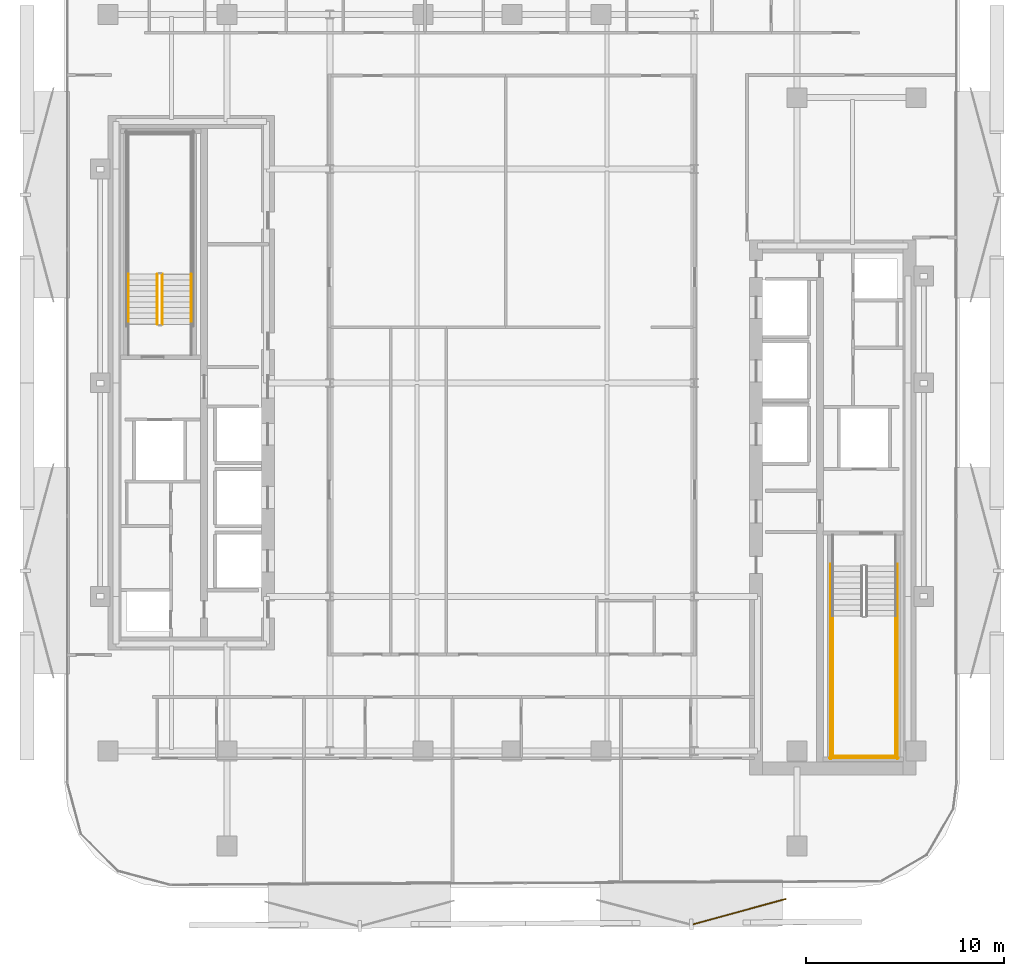
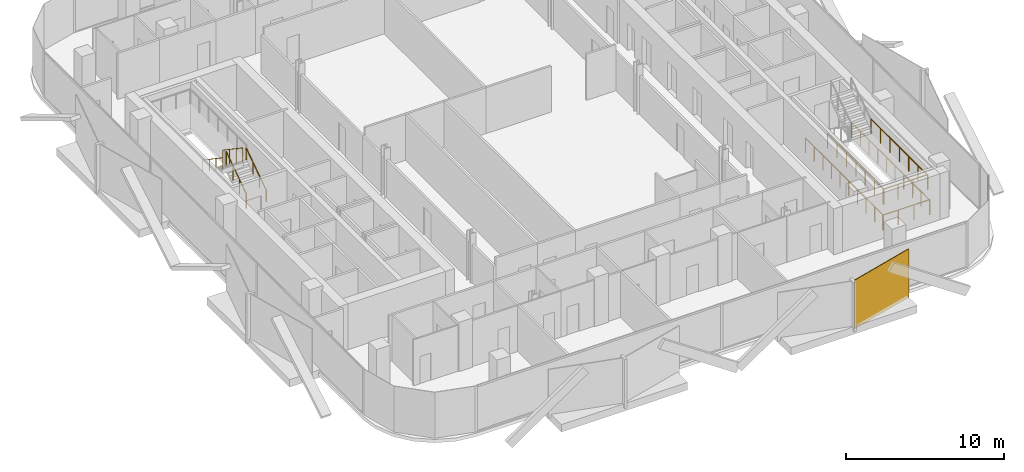
# One storey, part 14 of 17: 10 railings, 1 covering.
"""IFC4 building model written with IfcOpenShell, lengths in metres."""

from ifc_helpers import new_model, si_unit, direction, frame, origin, origin_2d, place, context, subcontext, project, spatial, rectangle, circle, extrude, material, layer, layer_set, type_object, element, save


model = new_model("IFC4")

# Units and contexts
model_context = context("Model", 3, precision=1e-05, world=origin(), true_north=direction((0.0, 1.0)))
body_context = subcontext(model_context, "Body", "Model", "MODEL_VIEW")
ifc_project = project(units=[si_unit("LENGTHUNIT", "METRE"), si_unit("AREAUNIT", "SQUARE_METRE"), si_unit("VOLUMEUNIT", "CUBIC_METRE"), si_unit("PLANEANGLEUNIT", "RADIAN"), si_unit("MASSUNIT", "GRAM", prefix="KILO")], contexts=[model_context])

# Site, building, storey
site_placement = place(None, origin())
site = spatial("IfcSite", under=ifc_project, at=site_placement, CompositionType="ELEMENT")
building_placement = place(site_placement, origin())
building = spatial("IfcBuilding", under=site, at=building_placement, Name="Khairoan Windgate Tower", CompositionType="ELEMENT")
storey_placement = place(building_placement, frame((0.0, 0.0, 195.39990234375)))
storey = spatial("IfcBuildingStorey", under=building, at=storey_placement, Name="L45", CompositionType="ELEMENT", Elevation=195.39990234375)

# Covering
ifc_material_1 = material(Name="Anodised Bronze Aluminium 6063-T6", Category="aluminium")
ifc_layer = layer(ifc_material_1, 0.054931640625, Name="Anodised Bronze Aluminium 6063-T6")
ifc_layer_set = layer_set([ifc_layer], Name="Anodised Bronze Aluminium 6063-T6")
covering_type = type_object("IfcCoveringType", Name="Perforated Bronze-Ceramic Folded Solar Screen Cladding BSC-1", PredefinedType="CLADDING", material=ifc_layer_set)
covering_placement = place(storey_placement, frame((11.498779296875, -26.708984375, -0.10009765625), z_axis=(0.0, 0.0, 1.0), x_axis=(-0.964649468762, -0.263536339841, 0.0)))
element("IfcCovering", 1, at=covering_placement, inside=storey, type_object=covering_type, Name="L45 Folded Bronze Solar Screen Facet 297L", PredefinedType="CLADDING", context=body_context, shape_type="SweptSolid", body=[
    extrude(rectangle(XDim=4.861083984375, YDim=0.054931640625, at=origin_2d()), origin(), (0.0, 0.0, 1.0), 3.739990234375),
])

# Railings
ifc_material_2 = material(Name="Anodised Bronze Aluminium 6063-T6", Category="aluminium")
railing_type_1 = type_object("IfcRailingType", Name="Stair Wall Handrail SHR-900", PredefinedType="HANDRAIL", material=ifc_material_2)
railing_1_placement = place(storey_placement, frame((-16.199951171875, 2.9599609375, 0.190185546875)))
element("IfcRailing", 2, at=railing_1_placement, inside=storey, type_object=railing_type_1, Name="L45 ST2 stair handrail 1", PredefinedType="HANDRAIL", context=body_context, shape_type="SweptSolid", body=[
    extrude(circle(Radius=0.02392578125, at=origin_2d()), frame((0.0, 0.0, 0.8759765625), z_axis=(0.0, 0.827483756001, 0.561489655786), x_axis=(-1.0, 0.0, 0.0)), (0.0, 0.0, 1.0), 3.04541015625),
    extrude(circle(Radius=0.02099609375, at=origin_2d()), origin(), (0.0, 0.0, 1.0), 0.851806640625),
    extrude(circle(Radius=0.02099609375, at=origin_2d()), frame((0.0, 0.840087890625, 0.570068359375)), (0.0, 0.0, 1.0), 0.851806640625),
    extrude(circle(Radius=0.02099609375, at=origin_2d()), frame((0.0, 1.679931640625, 1.139892578125)), (0.0, 0.0, 1.0), 0.851806640625),
    extrude(circle(Radius=0.02099609375, at=origin_2d()), frame((0.0, 2.52001953125, 1.7099609375)), (0.0, 0.0, 1.0), 0.851806640625),
])
railing_2_placement = place(storey_placement, frame((-19.3701171875, 5.47998046875, 2.090087890625)))
element("IfcRailing", 3, at=railing_2_placement, inside=storey, type_object=railing_type_1, Name="L45 ST2 stair handrail 2", PredefinedType="HANDRAIL", context=body_context, shape_type="SweptSolid", body=[
    extrude(circle(Radius=0.02392578125, at=origin_2d()), frame((0.0, 0.0, 0.8759765625), z_axis=(0.0, -0.827483756001, 0.561489655786), x_axis=(1.0, 0.0, 0.0)), (0.0, 0.0, 1.0), 3.04541015625),
    extrude(circle(Radius=0.02099609375, at=origin_2d()), origin(), (0.0, 0.0, 1.0), 0.851806640625),
    extrude(circle(Radius=0.02099609375, at=origin_2d()), frame((0.0, -0.840087890625, 0.570068359375)), (0.0, 0.0, 1.0), 0.851806640625),
    extrude(circle(Radius=0.02099609375, at=origin_2d()), frame((0.0, -1.679931640625, 1.139892578125)), (0.0, 0.0, 1.0), 0.851806640625),
    extrude(circle(Radius=0.02099609375, at=origin_2d()), frame((0.0, -2.52001953125, 1.7099609375)), (0.0, 0.0, 1.0), 0.851806640625),
])
ifc_material_3 = material(Name="Steel S355", Category="steel")
railing_type_2 = type_object("IfcRailingType", Name="Stairwell Safety Guardrail SGR-1150", PredefinedType="GUARDRAIL", material=ifc_material_3)
for number, where, name in (
    (4, (16.199951171875, -11.780029296875, 1.900146484375), "L45 ST1 stair guard 3"),
    (5, (19.3701171875, -11.780029296875, 1.900146484375), "L45 ST1 stair guard 4"),
):
    element("IfcRailing", number, at=place(storey_placement, frame(where)), inside=storey, type_object=railing_type_2, Name=name, PredefinedType="GUARDRAIL", context=body_context, shape_type="SweptSolid", body=[
        extrude(circle(Radius=0.02392578125, at=origin_2d()), frame((0.0, 0.0, 1.1259765625), z_axis=(0.0, -1.0, 0.0), x_axis=(1.0, 0.0, 0.0)), (0.0, 0.0, 1.0), 7.119873046875),
        extrude(circle(Radius=0.02099609375, at=origin_2d()), origin(), (0.0, 0.0, 1.0), 1.101806640625),
        extrude(circle(Radius=0.02099609375, at=origin_2d()), frame((0.0, -1.1865234375, 0.0)), (0.0, 0.0, 1.0), 1.101806640625),
        extrude(circle(Radius=0.02099609375, at=origin_2d()), frame((0.0, -2.373291015625, 0.0)), (0.0, 0.0, 1.0), 1.101806640625),
        extrude(circle(Radius=0.02099609375, at=origin_2d()), frame((0.0, -3.56005859375, 0.0)), (0.0, 0.0, 1.0), 1.101806640625),
        extrude(circle(Radius=0.02099609375, at=origin_2d()), frame((0.0, -4.74658203125, 0.0)), (0.0, 0.0, 1.0), 1.101806640625),
        extrude(circle(Radius=0.02099609375, at=origin_2d()), frame((0.0, -5.93310546875, 0.0)), (0.0, 0.0, 1.0), 1.101806640625),
        extrude(circle(Radius=0.02099609375, at=origin_2d()), frame((0.0, -7.119873046875, 0.0)), (0.0, 0.0, 1.0), 1.101806640625),
    ])
railing_3_placement = place(storey_placement, frame((16.14990234375, -18.85009765625, 1.900146484375)))
element("IfcRailing", 6, at=railing_3_placement, inside=storey, type_object=railing_type_2, Name="L45 ST1 stair guard 5", PredefinedType="GUARDRAIL", context=body_context, shape_type="SweptSolid", body=[
    extrude(circle(Radius=0.02392578125, at=origin_2d()), frame((0.0, 0.0, 1.1259765625), z_axis=(1.0, 0.0, 0.0), x_axis=(0.0, 1.0, 0.0)), (0.0, 0.0, 1.0), 3.27001953125),
    extrude(circle(Radius=0.02099609375, at=origin_2d()), origin(), (0.0, 0.0, 1.0), 1.101806640625),
    extrude(circle(Radius=0.02099609375, at=origin_2d()), frame((1.090087890625, 0.0, 0.0)), (0.0, 0.0, 1.0), 1.101806640625),
    extrude(circle(Radius=0.02099609375, at=origin_2d()), frame((2.179931640625, 0.0, 0.0)), (0.0, 0.0, 1.0), 1.101806640625),
    extrude(circle(Radius=0.02099609375, at=origin_2d()), frame((3.27001953125, 0.0, 0.0)), (0.0, 0.0, 1.0), 1.101806640625),
])
for number, where, name in (
    (7, (16.10009765625, -9.159912109375, 0.0), "L45 ST1 stair guard 10"),
    (8, (19.469970703125, -9.159912109375, 0.0), "L45 ST1 stair guard 11"),
):
    element("IfcRailing", number, at=place(storey_placement, frame(where)), inside=storey, type_object=railing_type_2, Name=name, PredefinedType="GUARDRAIL", context=body_context, shape_type="SweptSolid", body=[
        extrude(circle(Radius=0.02392578125, at=origin_2d()), frame((0.0, 0.0, 1.1259765625), z_axis=(0.0, -1.0, 0.0), x_axis=(1.0, 0.0, 0.0)), (0.0, 0.0, 1.0), 9.840087890625),
        extrude(circle(Radius=0.02099609375, at=origin_2d()), origin(), (0.0, 0.0, 1.0), 1.101806640625),
        extrude(circle(Radius=0.02099609375, at=origin_2d()), frame((0.0, -1.09326171875, 0.0)), (0.0, 0.0, 1.0), 1.101806640625),
        extrude(circle(Radius=0.02099609375, at=origin_2d()), frame((0.0, -2.186767578125, 0.0)), (0.0, 0.0, 1.0), 1.101806640625),
        extrude(circle(Radius=0.02099609375, at=origin_2d()), frame((0.0, -3.280029296875, 0.0)), (0.0, 0.0, 1.0), 1.101806640625),
        extrude(circle(Radius=0.02099609375, at=origin_2d()), frame((0.0, -4.373291015625, 0.0)), (0.0, 0.0, 1.0), 1.101806640625),
        extrude(circle(Radius=0.02099609375, at=origin_2d()), frame((0.0, -5.466796875, 0.0)), (0.0, 0.0, 1.0), 1.101806640625),
        extrude(circle(Radius=0.02099609375, at=origin_2d()), frame((0.0, -6.56005859375, 0.0)), (0.0, 0.0, 1.0), 1.101806640625),
        extrude(circle(Radius=0.02099609375, at=origin_2d()), frame((0.0, -7.6533203125, 0.0)), (0.0, 0.0, 1.0), 1.101806640625),
        extrude(circle(Radius=0.02099609375, at=origin_2d()), frame((0.0, -8.746826171875, 0.0)), (0.0, 0.0, 1.0), 1.101806640625),
        extrude(circle(Radius=0.02099609375, at=origin_2d()), frame((0.0, -9.840087890625, 0.0)), (0.0, 0.0, 1.0), 1.101806640625),
    ])
railing_4_placement = place(storey_placement, frame((16.050048828125, -18.949951171875, 0.0)))
element("IfcRailing", 9, at=railing_4_placement, inside=storey, type_object=railing_type_2, Name="L45 ST1 stair guard 12", PredefinedType="GUARDRAIL", context=body_context, shape_type="SweptSolid", body=[
    extrude(circle(Radius=0.02392578125, at=origin_2d()), frame((0.0, 0.0, 1.1259765625), z_axis=(1.0, 0.0, 0.0), x_axis=(0.0, 1.0, 0.0)), (0.0, 0.0, 1.0), 3.469970703125),
    extrude(circle(Radius=0.02099609375, at=origin_2d()), origin(), (0.0, 0.0, 1.0), 1.101806640625),
    extrude(circle(Radius=0.02099609375, at=origin_2d()), frame((1.15673828125, 0.0, 0.0)), (0.0, 0.0, 1.0), 1.101806640625),
    extrude(circle(Radius=0.02099609375, at=origin_2d()), frame((2.313232421875, 0.0, 0.0)), (0.0, 0.0, 1.0), 1.101806640625),
    extrude(circle(Radius=0.02099609375, at=origin_2d()), frame((3.469970703125, 0.0, 0.0)), (0.0, 0.0, 1.0), 1.101806640625),
])
railing_5_placement = place(storey_placement, frame((-17.659912109375, 2.9599609375, 0.190185546875)))
element("IfcRailing", 10, at=railing_5_placement, inside=storey, type_object=railing_type_2, Name="L45 ST2 stair guard 1", PredefinedType="GUARDRAIL", context=body_context, shape_type="SweptSolid", body=[
    extrude(circle(Radius=0.02392578125, at=origin_2d()), frame((0.0, 0.0, 1.1259765625), z_axis=(0.0, 0.827483756001, 0.561489655786), x_axis=(-1.0, 0.0, 0.0)), (0.0, 0.0, 1.0), 3.04541015625),
    extrude(circle(Radius=0.02099609375, at=origin_2d()), origin(), (0.0, 0.0, 1.0), 1.101806640625),
    extrude(circle(Radius=0.02099609375, at=origin_2d()), frame((0.0, 0.840087890625, 0.570068359375)), (0.0, 0.0, 1.0), 1.101806640625),
    extrude(circle(Radius=0.02099609375, at=origin_2d()), frame((0.0, 1.679931640625, 1.139892578125)), (0.0, 0.0, 1.0), 1.101806640625),
    extrude(circle(Radius=0.02099609375, at=origin_2d()), frame((0.0, 2.52001953125, 1.7099609375)), (0.0, 0.0, 1.0), 1.101806640625),
])
railing_6_placement = place(storey_placement, frame((-17.909912109375, 5.47998046875, 2.090087890625)))
element("IfcRailing", 11, at=railing_6_placement, inside=storey, type_object=railing_type_2, Name="L45 ST2 stair guard 6", PredefinedType="GUARDRAIL", context=body_context, shape_type="SweptSolid", body=[
    extrude(circle(Radius=0.02392578125, at=origin_2d()), frame((0.0, 0.0, 1.1259765625), z_axis=(0.0, -0.827483756001, 0.561489655786), x_axis=(1.0, 0.0, 0.0)), (0.0, 0.0, 1.0), 3.04541015625),
    extrude(circle(Radius=0.02099609375, at=origin_2d()), origin(), (0.0, 0.0, 1.0), 1.101806640625),
    extrude(circle(Radius=0.02099609375, at=origin_2d()), frame((0.0, -0.840087890625, 0.570068359375)), (0.0, 0.0, 1.0), 1.101806640625),
    extrude(circle(Radius=0.02099609375, at=origin_2d()), frame((0.0, -1.679931640625, 1.139892578125)), (0.0, 0.0, 1.0), 1.101806640625),
    extrude(circle(Radius=0.02099609375, at=origin_2d()), frame((0.0, -2.52001953125, 1.7099609375)), (0.0, 0.0, 1.0), 1.101806640625),
])

save(model, "model.ifc")
